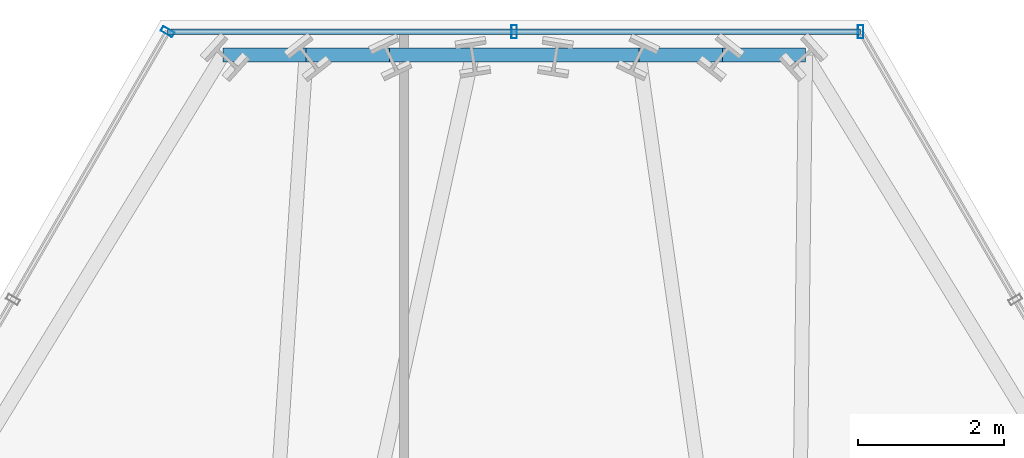
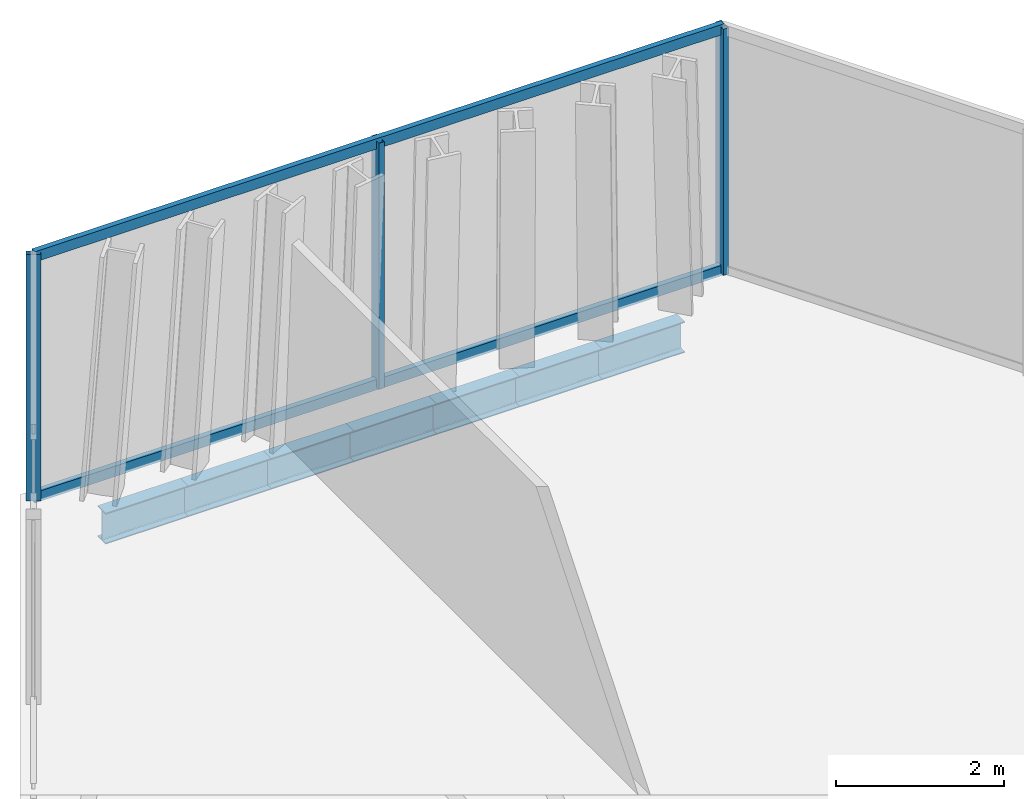
# One storey, part 23 of 33: 7 beams, 5 members, 2 elements without a shape of their own.
"""IFC4 building model written with IfcOpenShell, lengths in metres."""

from ifc_helpers import new_model, si_unit, direction, frame, origin, origin_2d, place, context, subcontext, project, spatial, hollow_rectangle, i_section, extrude, material, layer, layer_set, material_profile, profile_set, type_object, element, aggregate, save


model = new_model("IFC4")

# Units and contexts
model_context = context("Model", 3, precision=1e-05, world=origin(), true_north=direction((0.0, 1.0)))
body_context = subcontext(model_context, "Body", "Model", "MODEL_VIEW")
ifc_project = project(units=[si_unit("LENGTHUNIT", "METRE"), si_unit("AREAUNIT", "SQUARE_METRE"), si_unit("VOLUMEUNIT", "CUBIC_METRE"), si_unit("PLANEANGLEUNIT", "RADIAN"), si_unit("MASSUNIT", "GRAM", prefix="KILO")], contexts=[model_context])

# Site, building, storey
site_placement = place(None, origin())
site = spatial("IfcSite", under=ifc_project, at=site_placement, CompositionType="ELEMENT")
building_placement = place(site_placement, origin())
building = spatial("IfcBuilding", under=site, at=building_placement, Name="Ndaravel Arena Tower", CompositionType="ELEMENT")
storey_placement = place(building_placement, frame((0.0, 0.0, 187.800048828125)))
storey = spatial("IfcBuildingStorey", under=building, at=storey_placement, Name="L45", CompositionType="ELEMENT", Elevation=187.800048828125)

# Beams
ifc_material_1 = material(Name="Steel S355", Category="steel")
ifc_material_profile_1 = material_profile(ifc_material_1, i_section(OverallWidth=0.18994140625, OverallDepth=0.449951171875, WebThickness=0.009521484375, FlangeThickness=0.0146484375, FilletRadius=0.02099609375, at=origin_2d()), Name="IPE 450")
ifc_profile_set_1 = profile_set([ifc_material_profile_1], Name="Steel S355")
beam_type = type_object("IfcBeamType", Name="BM-SPAN-IPE450", PredefinedType="SPANDREL", material=ifc_profile_set_1)
beam_1_placement = place(storey_placement, frame((45.980712890625, 45.97265625, -0.445068359375), z_axis=(-1.0, 0.0, 0.0), x_axis=(0.0, -1.0, 0.0)))
element("IfcBeam", 1, at=beam_1_placement, inside=storey, type_object=beam_type, Name="L45 Perimeter Spandrel Beam SP-11", PredefinedType="SPANDREL", context=body_context, shape_type="SweptSolid", body=[
    extrude(i_section(OverallWidth=0.18994140625, OverallDepth=0.449951171875, WebThickness=0.009521484375, FlangeThickness=0.0146484375, FilletRadius=0.02099609375, at=origin_2d()), origin(), (0.0, 0.0, 1.0), 1.137451171875),
])
beam_2_placement = place(storey_placement, frame((44.84326171875, 45.97265625, -0.445068359375), z_axis=(-1.0, 0.0, 0.0), x_axis=(0.0, -1.0, 0.0)))
element("IfcBeam", 2, at=beam_2_placement, inside=storey, type_object=beam_type, Name="L45 Perimeter Spandrel Beam SP-12", PredefinedType="SPANDREL", context=body_context, shape_type="SweptSolid", body=[
    extrude(i_section(OverallWidth=0.18994140625, OverallDepth=0.449951171875, WebThickness=0.009521484375, FlangeThickness=0.0146484375, FilletRadius=0.02099609375, at=origin_2d()), origin(), (0.0, 0.0, 1.0), 1.13720703125),
])
beam_3_placement = place(storey_placement, frame((43.7060546875, 45.97265625, -0.445068359375), z_axis=(-1.0, 0.0, 0.0), x_axis=(0.0, -1.0, 0.0)))
element("IfcBeam", 3, at=beam_3_placement, inside=storey, type_object=beam_type, Name="L45 Perimeter Spandrel Beam SP-13", PredefinedType="SPANDREL", context=body_context, shape_type="SweptSolid", body=[
    extrude(i_section(OverallWidth=0.18994140625, OverallDepth=0.449951171875, WebThickness=0.009521484375, FlangeThickness=0.0146484375, FilletRadius=0.02099609375, at=origin_2d()), origin(), (0.0, 0.0, 1.0), 1.137451171875),
])
beam_4_placement = place(storey_placement, frame((42.568603515625, 45.97265625, -0.445068359375), z_axis=(-1.0, 0.0, 0.0), x_axis=(0.0, -1.0, 0.0)))
element("IfcBeam", 4, at=beam_4_placement, inside=storey, type_object=beam_type, Name="L45 Perimeter Spandrel Beam SP-14", PredefinedType="SPANDREL", context=body_context, shape_type="SweptSolid", body=[
    extrude(i_section(OverallWidth=0.18994140625, OverallDepth=0.449951171875, WebThickness=0.009521484375, FlangeThickness=0.0146484375, FilletRadius=0.02099609375, at=origin_2d()), origin(), (0.0, 0.0, 1.0), 1.13720703125),
])
beam_5_placement = place(storey_placement, frame((41.431396484375, 45.97265625, -0.445068359375), z_axis=(-1.0, 0.0, 0.0), x_axis=(0.0, -1.0, 0.0)))
element("IfcBeam", 5, at=beam_5_placement, inside=storey, type_object=beam_type, Name="L45 Perimeter Spandrel Beam SP-15", PredefinedType="SPANDREL", context=body_context, shape_type="SweptSolid", body=[
    extrude(i_section(OverallWidth=0.18994140625, OverallDepth=0.449951171875, WebThickness=0.009521484375, FlangeThickness=0.0146484375, FilletRadius=0.02099609375, at=origin_2d()), origin(), (0.0, 0.0, 1.0), 1.137451171875),
])
beam_6_placement = place(storey_placement, frame((40.2939453125, 45.97265625, -0.445068359375), z_axis=(-1.0, 0.0, 0.0), x_axis=(0.0, -1.0, 0.0)))
element("IfcBeam", 6, at=beam_6_placement, inside=storey, type_object=beam_type, Name="L45 Perimeter Spandrel Beam SP-16", PredefinedType="SPANDREL", context=body_context, shape_type="SweptSolid", body=[
    extrude(i_section(OverallWidth=0.18994140625, OverallDepth=0.449951171875, WebThickness=0.009521484375, FlangeThickness=0.0146484375, FilletRadius=0.02099609375, at=origin_2d()), origin(), (0.0, 0.0, 1.0), 1.13720703125),
])
beam_7_placement = place(storey_placement, frame((39.15673828125, 45.97265625, -0.445068359375), z_axis=(-1.0, 0.0, 0.0), x_axis=(0.0, -1.0, 0.0)))
element("IfcBeam", 7, at=beam_7_placement, inside=storey, type_object=beam_type, Name="L45 Perimeter Spandrel Beam SP-17", PredefinedType="SPANDREL", context=body_context, shape_type="SweptSolid", body=[
    extrude(i_section(OverallWidth=0.18994140625, OverallDepth=0.449951171875, WebThickness=0.009521484375, FlangeThickness=0.0146484375, FilletRadius=0.02099609375, at=origin_2d()), origin(), (0.0, 0.0, 1.0), 1.137451171875),
])

# Curtain wall, members
ifc_material_2 = material(Name="Aluminium", Category="aluminium")
ifc_layer_1 = layer(ifc_material_2, 0.179931640625)
ifc_layer_set_1 = layer_set([ifc_layer_1], Name="Aluminium")
curtain_wall_type_1 = type_object("IfcCurtainWallType", Name="CW-SYS-01", PredefinedType="NOTDEFINED", material=ifc_layer_set_1)
curtain_wall_1_placement = place(storey_placement, origin())
curtain_wall_1 = element("IfcCurtainWall", 8, at=curtain_wall_1_placement, inside=storey, type_object=curtain_wall_type_1, Name="L45 Faceted Crystal Curtain Wall CW-L45-E04", PredefinedType="NOTDEFINED")
ifc_material_3 = material(Name="Aluminium", Category="aluminium")
ifc_material_profile_2 = material_profile(ifc_material_3, hollow_rectangle(XDim=0.074951171875, YDim=0.179931640625, WallThickness=0.00390625, at=origin_2d()), Name="CW MULLION 75x180x4")
ifc_profile_set_2 = profile_set([ifc_material_profile_2], Name="Aluminium")
member_type_1 = type_object("IfcMemberType", Name="MEM-CW-MUL180", PredefinedType="MULLION", material=ifc_profile_set_2)
member_1_placement = place(storey_placement, frame((46.73388671875, 46.29248046875, 0.0), z_axis=(0.0, 0.0, 1.0), x_axis=(-1.0, 0.0, 0.0)))
member_1 = element("IfcMember", 9, at=member_1_placement, type_object=member_type_1, Name="CW-L45-E04 Mullion 00", PredefinedType="MULLION", context=body_context, shape_type="SweptSolid", body=[
    extrude(hollow_rectangle(XDim=0.074951171875, YDim=0.179931640625, WallThickness=0.00390625, at=origin_2d()), origin(), (0.0, 0.0, 1.0), 3.579833984375),
])
member_2_placement = place(storey_placement, frame((42.0, 46.29248046875, 0.0), z_axis=(0.0, 0.0, 1.0), x_axis=(-1.0, 0.0, 0.0)))
member_2 = element("IfcMember", 10, at=member_2_placement, type_object=member_type_1, Name="CW-L45-E04 Mullion 01", PredefinedType="MULLION", context=body_context, shape_type="SweptSolid", body=[
    extrude(hollow_rectangle(XDim=0.074951171875, YDim=0.179931640625, WallThickness=0.00390625, at=origin_2d()), origin(), (0.0, 0.0, 1.0), 3.579833984375),
])

# Curtain wall, member
ifc_material_4 = material(Name="Aluminium", Category="aluminium")
ifc_layer_2 = layer(ifc_material_4, 0.179931640625)
ifc_layer_set_2 = layer_set([ifc_layer_2], Name="Aluminium")
curtain_wall_type_2 = type_object("IfcCurtainWallType", Name="CW-SYS-03", PredefinedType="NOTDEFINED", material=ifc_layer_set_2)
curtain_wall_2_placement = place(storey_placement, origin())
curtain_wall_2 = element("IfcCurtainWall", 11, at=curtain_wall_2_placement, inside=storey, type_object=curtain_wall_type_2, Name="L45 Faceted Crystal Curtain Wall CW-L45-E05", PredefinedType="NOTDEFINED")
member_3_placement = place(storey_placement, frame((37.26611328125, 46.29248046875, 0.0), z_axis=(0.0, 0.0, 1.0), x_axis=(-0.5, -0.866025403784, 0.0)))
member_3 = element("IfcMember", 12, at=member_3_placement, type_object=member_type_1, Name="CW-L45-E05 Mullion 00", PredefinedType="MULLION", context=body_context, shape_type="SweptSolid", body=[
    extrude(hollow_rectangle(XDim=0.074951171875, YDim=0.179931640625, WallThickness=0.00390625, at=origin_2d()), origin(), (0.0, 0.0, 1.0), 3.579833984375),
])
aggregate(curtain_wall_2, [member_3])

# Member
ifc_material_5 = material(Name="Aluminium", Category="aluminium")
ifc_material_profile_3 = material_profile(ifc_material_5, hollow_rectangle(XDim=0.074951171875, YDim=0.14990234375, WallThickness=0.00390625, at=origin_2d()), Name="CW TRANSOM 75x150x4")
ifc_profile_set_3 = profile_set([ifc_material_profile_3], Name="Aluminium")
member_type_2 = type_object("IfcMemberType", Name="MEM-CW-TRN150", PredefinedType="USERDEFINED", material=ifc_profile_set_3)
member_4_placement = place(storey_placement, frame((46.73388671875, 46.29248046875, 0.0400390625), z_axis=(-1.0, 0.0, 0.0), x_axis=(0.0, -1.0, 0.0)))
member_4 = element("IfcMember", 13, at=member_4_placement, type_object=member_type_2, Name="CW-L45-E04 Transom 01", ObjectType="TRANSOM", PredefinedType="USERDEFINED", context=body_context, shape_type="SweptSolid", body=[
    extrude(hollow_rectangle(XDim=0.074951171875, YDim=0.14990234375, WallThickness=0.00390625, at=origin_2d()), origin(), (0.0, 0.0, 1.0), 9.4677734375),
])

member_5_placement = place(storey_placement, frame((46.73388671875, 46.29248046875, 3.5400390625), z_axis=(-1.0, 0.0, 0.0), x_axis=(0.0, -1.0, 0.0)))
member_5 = element("IfcMember", 14, at=member_5_placement, type_object=member_type_2, Name="CW-L45-E04 Transom 02", ObjectType="TRANSOM", PredefinedType="USERDEFINED", context=body_context, shape_type="SweptSolid", body=[
    extrude(hollow_rectangle(XDim=0.074951171875, YDim=0.14990234375, WallThickness=0.00390625, at=origin_2d()), origin(), (0.0, 0.0, 1.0), 9.4677734375),
])

aggregate(curtain_wall_1, [member_1, member_2, member_4, member_5])

save(model, "model.ifc")
